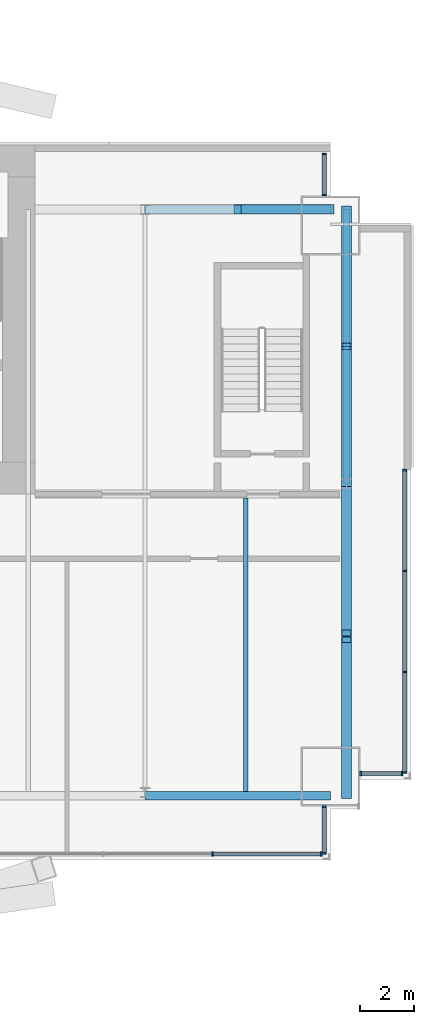
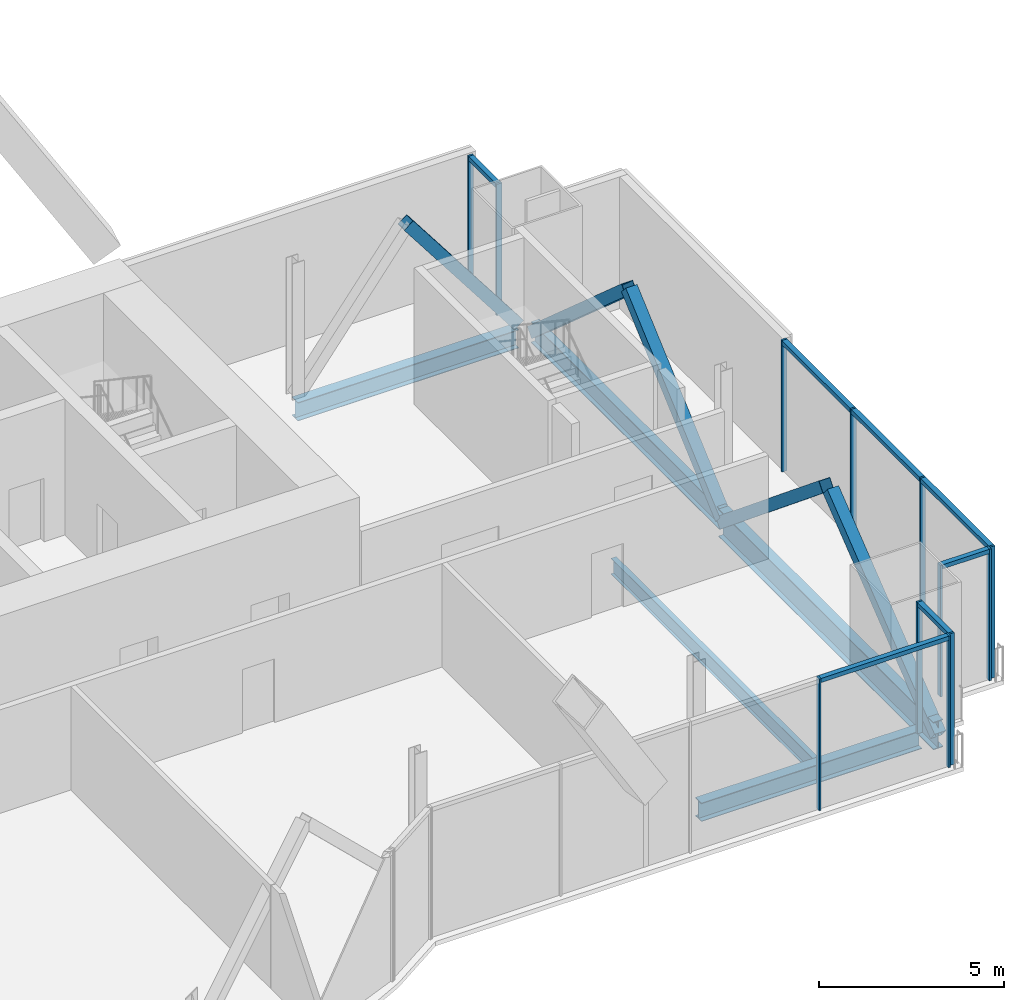
# One storey, part 12 of 20: 24 members, 5 beams, 5 elements without a shape of their own.
"""IFC4 building model written with IfcOpenShell, lengths in metres."""

from ifc_helpers import new_model, si_unit, direction, frame, origin, origin_2d, place, context, subcontext, project, spatial, rectangle, hollow_rectangle, i_section, extrude, material, material_profile, profile_set, type_object, element, aggregate, save


model = new_model("IFC4")

# Units and contexts
model_context = context("Model", 3, precision=1e-05, world=origin(), true_north=direction((0.0, 1.0)))
body_context = subcontext(model_context, "Body", "Model", "MODEL_VIEW")
ifc_project = project(units=[si_unit("LENGTHUNIT", "METRE"), si_unit("AREAUNIT", "SQUARE_METRE"), si_unit("VOLUMEUNIT", "CUBIC_METRE"), si_unit("PLANEANGLEUNIT", "RADIAN"), si_unit("MASSUNIT", "GRAM", prefix="KILO")], contexts=[model_context])

# Site, building, storey
site_placement = place(None, origin())
site = spatial("IfcSite", under=ifc_project, at=site_placement, CompositionType="ELEMENT")
building_placement = place(site_placement, origin())
building = spatial("IfcBuilding", under=site, at=building_placement, Name="Bicima Exchange Tower", CompositionType="ELEMENT")
storey_placement = place(building_placement, frame((0.0, 0.0, 306.5)))
storey = spatial("IfcBuildingStorey", under=building, at=storey_placement, Name="L69", CompositionType="ELEMENT", Elevation=306.5)

# Curtain wall, members
ifc_material_1 = material(Name="Anodised bronze aluminium", Category="aluminium")
curtain_wall_type_1 = type_object("IfcCurtainWallType", Name="End face glass wall", PredefinedType="NOTDEFINED", material=ifc_material_1)
curtain_wall_1_placement = place(storey_placement, origin())
curtain_wall_1 = element("IfcCurtainWall", 1, at=curtain_wall_1_placement, inside=storey, type_object=curtain_wall_type_1, Name="End face glass wall L69 run 19", PredefinedType="NOTDEFINED")
ifc_material_profile_1 = material_profile(ifc_material_1, rectangle(XDim=0.159912109375, YDim=0.06005859375, at=origin_2d()))
ifc_profile_set_1 = profile_set([ifc_material_profile_1], Name="Anodised bronze aluminium")
member_type_1 = type_object("IfcMemberType", Name="End face glass wall mullion 60 x 160", PredefinedType="MULLION", material=ifc_profile_set_1)
member_1_placement = place(storey_placement, frame((35.77001953125, -23.367919921875, 0.0), z_axis=(0.0, 0.0, 1.0), x_axis=(-1.0, 0.0, 0.0)))
member_1 = element("IfcMember", 2, at=member_1_placement, type_object=member_type_1, Name="End face glass wall mullion 1", PredefinedType="MULLION", context=body_context, shape_type="SweptSolid", body=[
    extrude(rectangle(XDim=0.159912109375, YDim=0.06005859375, at=origin_2d()), origin(), (0.0, 0.0, 1.0), 4.35009765625),
])
member_2_placement = place(storey_placement, frame((35.77001953125, -19.615234375, 0.0), z_axis=(0.0, 0.0, 1.0), x_axis=(-1.0, 0.0, 0.0)))
member_2 = element("IfcMember", 3, at=member_2_placement, type_object=member_type_1, Name="End face glass wall mullion 2", PredefinedType="MULLION", context=body_context, shape_type="SweptSolid", body=[
    extrude(rectangle(XDim=0.159912109375, YDim=0.06005859375, at=origin_2d()), origin(), (0.0, 0.0, 1.0), 4.35009765625),
])
member_3_placement = place(storey_placement, frame((35.77001953125, -15.86279296875, 0.0), z_axis=(0.0, 0.0, 1.0), x_axis=(-1.0, 0.0, 0.0)))
member_3 = element("IfcMember", 4, at=member_3_placement, type_object=member_type_1, Name="End face glass wall mullion 3", PredefinedType="MULLION", context=body_context, shape_type="SweptSolid", body=[
    extrude(rectangle(XDim=0.159912109375, YDim=0.06005859375, at=origin_2d()), origin(), (0.0, 0.0, 1.0), 4.35009765625),
])
member_4_placement = place(storey_placement, frame((35.77001953125, -12.110107421875, 0.0), z_axis=(0.0, 0.0, 1.0), x_axis=(-1.0, 0.0, 0.0)))
member_4 = element("IfcMember", 5, at=member_4_placement, type_object=member_type_1, Name="End face glass wall mullion 4", PredefinedType="MULLION", context=body_context, shape_type="SweptSolid", body=[
    extrude(rectangle(XDim=0.159912109375, YDim=0.06005859375, at=origin_2d()), origin(), (0.0, 0.0, 1.0), 4.35009765625),
])
ifc_material_profile_2 = material_profile(ifc_material_1, rectangle(XDim=0.159912109375, YDim=0.139892578125, at=origin_2d()))
ifc_profile_set_2 = profile_set([ifc_material_profile_2], Name="Anodised bronze aluminium")
member_type_2 = type_object("IfcMemberType", Name="End face glass wall transom 140 x 160", PredefinedType="USERDEFINED", material=ifc_profile_set_2)
member_5_placement = place(storey_placement, frame((35.77001953125, -23.337890625, 4.280029296875), z_axis=(0.0, 1.0, 0.0), x_axis=(-1.0, 0.0, 0.0)))
member_5 = element("IfcMember", 6, at=member_5_placement, type_object=member_type_2, Name="End face glass wall transom 1.1", ObjectType="TRANSOM", PredefinedType="USERDEFINED", context=body_context, shape_type="SweptSolid", body=[
    extrude(rectangle(XDim=0.159912109375, YDim=0.139892578125, at=origin_2d()), origin(), (0.0, 0.0, 1.0), 3.692626953125),
])
member_6_placement = place(storey_placement, frame((35.77001953125, -19.585205078125, 4.280029296875), z_axis=(0.0, 1.0, 0.0), x_axis=(-1.0, 0.0, 0.0)))
member_6 = element("IfcMember", 7, at=member_6_placement, type_object=member_type_2, Name="End face glass wall transom 2.1", ObjectType="TRANSOM", PredefinedType="USERDEFINED", context=body_context, shape_type="SweptSolid", body=[
    extrude(rectangle(XDim=0.159912109375, YDim=0.139892578125, at=origin_2d()), origin(), (0.0, 0.0, 1.0), 3.692626953125),
])
member_7_placement = place(storey_placement, frame((35.77001953125, -15.832763671875, 4.280029296875), z_axis=(0.0, 1.0, 0.0), x_axis=(-1.0, 0.0, 0.0)))
member_7 = element("IfcMember", 8, at=member_7_placement, type_object=member_type_2, Name="End face glass wall transom 3.1", ObjectType="TRANSOM", PredefinedType="USERDEFINED", context=body_context, shape_type="SweptSolid", body=[
    extrude(rectangle(XDim=0.159912109375, YDim=0.139892578125, at=origin_2d()), origin(), (0.0, 0.0, 1.0), 3.69287109375),
])
aggregate(curtain_wall_1, [member_1, member_2, member_3, member_4, member_5, member_6, member_7])

# Beams
ifc_material_2 = material(Name="Steel ASTM A992 Gr 50", Category="steel")
ifc_material_profile_3 = material_profile(ifc_material_2, i_section(OverallWidth=0.256591796875, OverallDepth=0.693359375, WebThickness=0.014404296875, FlangeThickness=0.023681640625, at=origin_2d()))
ifc_profile_set_3 = profile_set([ifc_material_profile_3], Name="Steel ASTM A992 Gr 50")
beam_type_1 = type_object("IfcBeamType", Name="End girder W27x114", PredefinedType="BEAM", material=ifc_profile_set_3)
beam_1_placement = place(storey_placement, frame((33.60009765625, -2.39990234375, -0.49658203125), z_axis=(0.0, -1.0, 0.0), x_axis=(1.0, 0.0, 0.0)))
element("IfcBeam", 9, at=beam_1_placement, inside=storey, type_object=beam_type_1, Name="End girder", PredefinedType="BEAM", context=body_context, shape_type="SweptSolid", body=[
    extrude(i_section(OverallWidth=0.256591796875, OverallDepth=0.693359375, WebThickness=0.014404296875, FlangeThickness=0.023681640625, at=origin_2d()), origin(), (0.0, 0.0, 1.0), 10.2001953125),
])
ifc_material_profile_4 = material_profile(ifc_material_2, i_section(OverallWidth=0.3046875, OverallDepth=0.911865234375, WebThickness=0.015869140625, FlangeThickness=0.02392578125, at=origin_2d()))
ifc_profile_set_4 = profile_set([ifc_material_profile_4], Name="Steel ASTM A992 Gr 50")
beam_type_2 = type_object("IfcBeamType", Name="End girder W36x150", PredefinedType="BEAM", material=ifc_profile_set_4)
beam_2_placement = place(storey_placement, frame((33.60009765625, -12.60009765625, -0.60595703125), z_axis=(0.0, -1.0, 0.0), x_axis=(1.0, 0.0, 0.0)))
element("IfcBeam", 10, at=beam_2_placement, inside=storey, type_object=beam_type_2, Name="End girder", PredefinedType="BEAM", context=body_context, shape_type="SweptSolid", body=[
    extrude(i_section(OverallWidth=0.3046875, OverallDepth=0.911865234375, WebThickness=0.015869140625, FlangeThickness=0.02392578125, at=origin_2d()), origin(), (0.0, 0.0, 1.0), 11.6279296875),
])
ifc_material_profile_5 = material_profile(ifc_material_2, i_section(OverallWidth=0.165771484375, OverallDepth=0.5283203125, WebThickness=0.009765625, FlangeThickness=0.013671875, at=origin_2d()))
ifc_profile_set_5 = profile_set([ifc_material_profile_5], Name="Steel ASTM A992 Gr 50")
beam_type_3 = type_object("IfcBeamType", Name="Floor beam W21x50", PredefinedType="JOIST", material=ifc_profile_set_5)
beam_3_placement = place(storey_placement, frame((29.85009765625, -13.15234375, -0.414306640625), z_axis=(0.0, -1.0, 0.0), x_axis=(1.0, 0.0, 0.0)))
element("IfcBeam", 11, at=beam_3_placement, inside=storey, type_object=beam_type_3, Name="Floor beam", PredefinedType="JOIST", context=body_context, shape_type="SweptSolid", body=[
    extrude(i_section(OverallWidth=0.165771484375, OverallDepth=0.5283203125, WebThickness=0.009765625, FlangeThickness=0.013671875, at=origin_2d()), origin(), (0.0, 0.0, 1.0), 10.9130859375),
])
ifc_material_profile_6 = material_profile(ifc_material_2, i_section(OverallWidth=0.3251953125, OverallDepth=0.612060546875, WebThickness=0.0126953125, FlangeThickness=0.01904296875, at=origin_2d()))
ifc_profile_set_6 = profile_set([ifc_material_profile_6], Name="Steel ASTM A992 Gr 50")
beam_type_4 = type_object("IfcBeamType", Name="Front girder W24x104", PredefinedType="BEAM", material=ifc_profile_set_6)
beam_4_placement = place(storey_placement, frame((26.10009765625, -24.22802734375, -0.4560546875), z_axis=(1.0, 0.0, 0.0), x_axis=(0.0, 1.0, 0.0)))
element("IfcBeam", 12, at=beam_4_placement, inside=storey, type_object=beam_type_4, Name="Front girder", PredefinedType="BEAM", context=body_context, shape_type="SweptSolid", body=[
    extrude(i_section(OverallWidth=0.3251953125, OverallDepth=0.612060546875, WebThickness=0.0126953125, FlangeThickness=0.01904296875, at=origin_2d()), origin(), (0.0, 0.0, 1.0), 6.89990234375),
])

# Curtain wall, members
curtain_wall_type_2 = type_object("IfcCurtainWallType", Name="Front glass wall", PredefinedType="NOTDEFINED", material=ifc_material_1)
curtain_wall_2_placement = place(storey_placement, origin())
curtain_wall_2 = element("IfcCurtainWall", 13, at=curtain_wall_2_placement, inside=storey, type_object=curtain_wall_type_2, Name="Front glass wall L69 run 16", PredefinedType="NOTDEFINED")
member_type_3 = type_object("IfcMemberType", Name="Front glass wall mullion 60 x 160", PredefinedType="MULLION", material=ifc_profile_set_1)
member_8_placement = place(storey_placement, frame((28.610595703125, -26.39794921875, 0.0), z_axis=(0.0, 0.0, 1.0), x_axis=(0.0, 1.0, 0.0)))
member_8 = element("IfcMember", 14, at=member_8_placement, type_object=member_type_3, Name="Front glass wall mullion 4", PredefinedType="MULLION", context=body_context, shape_type="SweptSolid", body=[
    extrude(rectangle(XDim=0.159912109375, YDim=0.06005859375, at=origin_2d()), origin(), (0.0, 0.0, 1.0), 4.35009765625),
])
member_9_placement = place(storey_placement, frame((32.659912109375, -26.39794921875, 0.0), z_axis=(0.0, 0.0, 1.0), x_axis=(0.0, 1.0, 0.0)))
member_9 = element("IfcMember", 15, at=member_9_placement, type_object=member_type_3, Name="Front glass wall mullion 5", PredefinedType="MULLION", context=body_context, shape_type="SweptSolid", body=[
    extrude(rectangle(XDim=0.159912109375, YDim=0.06005859375, at=origin_2d()), origin(), (0.0, 0.0, 1.0), 4.35009765625),
])

curtain_wall_3_placement = place(storey_placement, origin())
curtain_wall_3 = element("IfcCurtainWall", 16, at=curtain_wall_3_placement, inside=storey, type_object=curtain_wall_type_2, Name="Front glass wall L69 run 17", PredefinedType="NOTDEFINED")
member_10_placement = place(storey_placement, frame((32.77001953125, -26.367919921875, 0.0), z_axis=(0.0, 0.0, 1.0), x_axis=(-1.0, 0.0, 0.0)))
member_10 = element("IfcMember", 17, at=member_10_placement, type_object=member_type_3, Name="Front glass wall mullion 1", PredefinedType="MULLION", context=body_context, shape_type="SweptSolid", body=[
    extrude(rectangle(XDim=0.159912109375, YDim=0.06005859375, at=origin_2d()), origin(), (0.0, 0.0, 1.0), 4.35009765625),
])
member_11_placement = place(storey_placement, frame((32.77001953125, -24.635986328125, 0.0), z_axis=(0.0, 0.0, 1.0), x_axis=(-1.0, 0.0, 0.0)))
member_11 = element("IfcMember", 18, at=member_11_placement, type_object=member_type_3, Name="Front glass wall mullion 2", PredefinedType="MULLION", context=body_context, shape_type="SweptSolid", body=[
    extrude(rectangle(XDim=0.159912109375, YDim=0.06005859375, at=origin_2d()), origin(), (0.0, 0.0, 1.0), 4.35009765625),
])

curtain_wall_4_placement = place(storey_placement, origin())
curtain_wall_4 = element("IfcCurtainWall", 19, at=curtain_wall_4_placement, inside=storey, type_object=curtain_wall_type_2, Name="Front glass wall L69 run 18", PredefinedType="NOTDEFINED")
member_12_placement = place(storey_placement, frame((34.1298828125, -23.39794921875, 0.0), z_axis=(0.0, 0.0, 1.0), x_axis=(0.0, 1.0, 0.0)))
member_12 = element("IfcMember", 20, at=member_12_placement, type_object=member_type_3, Name="Front glass wall mullion 1", PredefinedType="MULLION", context=body_context, shape_type="SweptSolid", body=[
    extrude(rectangle(XDim=0.159912109375, YDim=0.06005859375, at=origin_2d()), origin(), (0.0, 0.0, 1.0), 4.35009765625),
])
member_13_placement = place(storey_placement, frame((35.659912109375, -23.39794921875, 0.0), z_axis=(0.0, 0.0, 1.0), x_axis=(0.0, 1.0, 0.0)))
member_13 = element("IfcMember", 21, at=member_13_placement, type_object=member_type_3, Name="Front glass wall mullion 2", PredefinedType="MULLION", context=body_context, shape_type="SweptSolid", body=[
    extrude(rectangle(XDim=0.159912109375, YDim=0.06005859375, at=origin_2d()), origin(), (0.0, 0.0, 1.0), 4.35009765625),
])

curtain_wall_5_placement = place(storey_placement, origin())
curtain_wall_5 = element("IfcCurtainWall", 22, at=curtain_wall_5_placement, inside=storey, type_object=curtain_wall_type_2, Name="Front glass wall L69 run 20", PredefinedType="NOTDEFINED")
member_14_placement = place(storey_placement, frame((32.77001953125, -1.8701171875, 0.0), z_axis=(0.0, 0.0, 1.0), x_axis=(-1.0, 0.0, 0.0)))
member_14 = element("IfcMember", 23, at=member_14_placement, type_object=member_type_3, Name="Front glass wall mullion 1", PredefinedType="MULLION", context=body_context, shape_type="SweptSolid", body=[
    extrude(rectangle(XDim=0.159912109375, YDim=0.06005859375, at=origin_2d()), origin(), (0.0, 0.0, 1.0), 4.35009765625),
])
member_15_placement = place(storey_placement, frame((32.77001953125, -0.340087890625, 0.0), z_axis=(0.0, 0.0, 1.0), x_axis=(-1.0, 0.0, 0.0)))
member_15 = element("IfcMember", 24, at=member_15_placement, type_object=member_type_3, Name="Front glass wall mullion 2", PredefinedType="MULLION", context=body_context, shape_type="SweptSolid", body=[
    extrude(rectangle(XDim=0.159912109375, YDim=0.06005859375, at=origin_2d()), origin(), (0.0, 0.0, 1.0), 4.35009765625),
])

# Member
member_type_4 = type_object("IfcMemberType", Name="Front glass wall transom 140 x 160", PredefinedType="USERDEFINED", material=ifc_profile_set_2)
member_16_placement = place(storey_placement, frame((28.640380859375, -26.39794921875, 4.280029296875), z_axis=(1.0, 0.0, 0.0), x_axis=(0.0, 1.0, 0.0)))
member_16 = element("IfcMember", 25, at=member_16_placement, type_object=member_type_4, Name="Front glass wall transom 4.1", ObjectType="TRANSOM", PredefinedType="USERDEFINED", context=body_context, shape_type="SweptSolid", body=[
    extrude(rectangle(XDim=0.159912109375, YDim=0.139892578125, at=origin_2d()), origin(), (0.0, 0.0, 1.0), 3.989501953125),
])

aggregate(curtain_wall_2, [member_8, member_9, member_16])

member_17_placement = place(storey_placement, frame((32.77001953125, -26.337890625, 4.280029296875), z_axis=(0.0, 1.0, 0.0), x_axis=(-1.0, 0.0, 0.0)))
member_17 = element("IfcMember", 26, at=member_17_placement, type_object=member_type_4, Name="Front glass wall transom 1.1", ObjectType="TRANSOM", PredefinedType="USERDEFINED", context=body_context, shape_type="SweptSolid", body=[
    extrude(rectangle(XDim=0.159912109375, YDim=0.139892578125, at=origin_2d()), origin(), (0.0, 0.0, 1.0), 1.671875),
])

aggregate(curtain_wall_3, [member_10, member_11, member_17])

member_18_placement = place(storey_placement, frame((34.159912109375, -23.39794921875, 4.280029296875), z_axis=(1.0, 0.0, 0.0), x_axis=(0.0, 1.0, 0.0)))
member_18 = element("IfcMember", 27, at=member_18_placement, type_object=member_type_4, Name="Front glass wall transom 1.1", ObjectType="TRANSOM", PredefinedType="USERDEFINED", context=body_context, shape_type="SweptSolid", body=[
    extrude(rectangle(XDim=0.159912109375, YDim=0.139892578125, at=origin_2d()), origin(), (0.0, 0.0, 1.0), 1.469970703125),
])

aggregate(curtain_wall_4, [member_12, member_13, member_18])

member_19_placement = place(storey_placement, frame((32.77001953125, -1.840087890625, 4.280029296875), z_axis=(0.0, 1.0, 0.0), x_axis=(-1.0, 0.0, 0.0)))
member_19 = element("IfcMember", 28, at=member_19_placement, type_object=member_type_4, Name="Front glass wall transom 1.1", ObjectType="TRANSOM", PredefinedType="USERDEFINED", context=body_context, shape_type="SweptSolid", body=[
    extrude(rectangle(XDim=0.159912109375, YDim=0.139892578125, at=origin_2d()), origin(), (0.0, 0.0, 1.0), 1.469970703125),
])

aggregate(curtain_wall_5, [member_14, member_15, member_19])

# Members
ifc_material_3 = material(Name="Steel ASTM A572 Gr 50", Category="steel")
ifc_material_profile_7 = material_profile(ifc_material_3, hollow_rectangle(XDim=0.355712890625, YDim=0.355712890625, WallThickness=0.01171875, at=origin_2d()))
ifc_profile_set_7 = profile_set([ifc_material_profile_7], Name="Steel ASTM A572 Gr 50")
member_type_5 = type_object("IfcMemberType", Name="Mega brace HSS14x14x1/2", PredefinedType="BRACE", material=ifc_profile_set_7)
member_20_placement = place(storey_placement, frame((33.0, -2.39990234375, 0.0), z_axis=(-0.608426120198, 0.0, 0.793610519248), x_axis=(0.0, -1.0, 0.0)))
element("IfcMember", 29, at=member_20_placement, inside=storey, type_object=member_type_5, Name="Mega brace rear", PredefinedType="BRACE", context=body_context, shape_type="SweptSolid", body=[
    extrude(hollow_rectangle(XDim=0.355712890625, YDim=0.355712890625, WallThickness=0.01171875, at=origin_2d()), origin(), (0.0, 0.0, 1.0), 5.670166015625),
])
for number, where, z_axis, x_axis, name in (
    (30, (33.60009765625, -2.39990234375, -0.49658203125), (0.0, -0.749844140428, 0.661614513948), (1.0, 0.0, 0.0), "Mega brace east end"),
    (31, (33.60009765625, -12.60009765625, -0.49658203125), (0.0, 0.749844140428, 0.661614513948), (-1.0, 0.0, 0.0), "Mega brace east end"),
):
    element("IfcMember", number, at=place(storey_placement, frame(where, z_axis=z_axis, x_axis=x_axis)), inside=storey, type_object=member_type_5, Name=name, PredefinedType="BRACE", context=body_context, shape_type="SweptSolid", body=[
        extrude(hollow_rectangle(XDim=0.355712890625, YDim=0.355712890625, WallThickness=0.01171875, at=origin_2d()), origin(), (0.0, 0.0, 1.0), 6.801513671875),
    ])
member_21_placement = place(storey_placement, frame((33.60009765625, -12.60009765625, -0.60595703125), z_axis=(0.0, -0.773092969854, 0.634292724192), x_axis=(1.0, 0.0, 0.0)))
element("IfcMember", 32, at=member_21_placement, inside=storey, type_object=member_type_5, Name="Mega brace east end", PredefinedType="BRACE", context=body_context, shape_type="SweptSolid", body=[
    extrude(hollow_rectangle(XDim=0.355712890625, YDim=0.355712890625, WallThickness=0.01171875, at=origin_2d()), origin(), (0.0, 0.0, 1.0), 7.20458984375),
])
member_22_placement = place(storey_placement, frame((33.60009765625, -24.22802734375, -0.60595703125), z_axis=(0.0, 0.786206055888, 0.61796443076), x_axis=(-1.0, 0.0, 0.0)))
element("IfcMember", 33, at=member_22_placement, inside=storey, type_object=member_type_5, Name="Mega brace east end", PredefinedType="BRACE", context=body_context, shape_type="SweptSolid", body=[
    extrude(hollow_rectangle(XDim=0.355712890625, YDim=0.355712890625, WallThickness=0.01171875, at=origin_2d()), origin(), (0.0, 0.0, 1.0), 7.39501953125),
])

# Beam
beam_type_5 = type_object("IfcBeamType", Name="Rear girder W24x104", PredefinedType="BEAM", material=ifc_profile_set_6)
beam_5_placement = place(storey_placement, frame((26.10009765625, -2.39990234375, -0.4560546875), z_axis=(1.0, 0.0, 0.0), x_axis=(0.0, 1.0, 0.0)))
element("IfcBeam", 34, at=beam_5_placement, inside=storey, type_object=beam_type_5, Name="Rear girder", PredefinedType="BEAM", context=body_context, shape_type="SweptSolid", body=[
    extrude(i_section(OverallWidth=0.3251953125, OverallDepth=0.612060546875, WebThickness=0.0126953125, FlangeThickness=0.01904296875, at=origin_2d()), origin(), (0.0, 0.0, 1.0), 6.89990234375),
])

save(model, "model.ifc")
